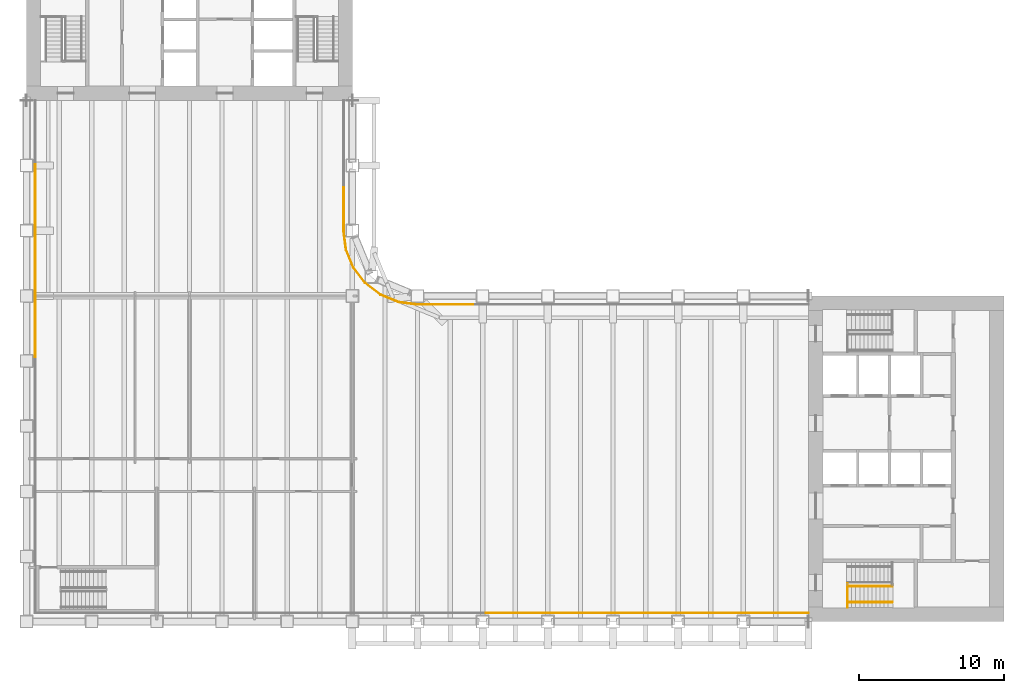
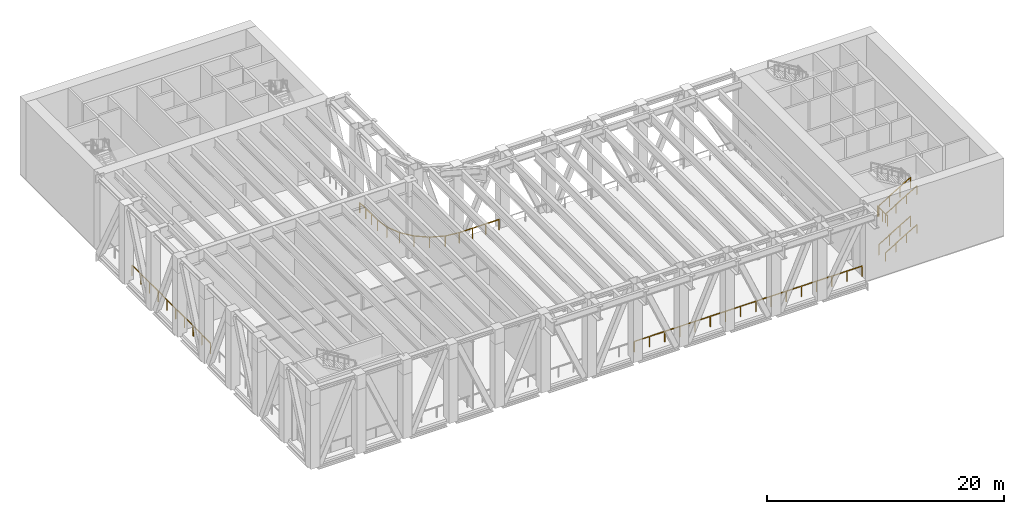
# One storey, part 14 of 16: 21 railings.
"""IFC4 building model written with IfcOpenShell, lengths in metres."""

from ifc_helpers import new_model, si_unit, direction, frame, origin, origin_2d, place, context, subcontext, project, spatial, rectangle, extrude, material, type_object, element, save


model = new_model("IFC4")

# Units and contexts
model_context = context("Model", 3, precision=1e-05, world=origin(), true_north=direction((0.0, 1.0)))
body_context = subcontext(model_context, "Body", "Model", "MODEL_VIEW")
ifc_project = project(units=[si_unit("LENGTHUNIT", "METRE"), si_unit("AREAUNIT", "SQUARE_METRE"), si_unit("VOLUMEUNIT", "CUBIC_METRE"), si_unit("PLANEANGLEUNIT", "RADIAN"), si_unit("MASSUNIT", "GRAM", prefix="KILO")], contexts=[model_context])

# Site, building, storey
site_placement = place(None, origin())
site = spatial("IfcSite", under=ifc_project, at=site_placement, CompositionType="ELEMENT")
building_placement = place(site_placement, origin())
building = spatial("IfcBuilding", under=site, at=building_placement, Name="Sennacour Bend Tower", CompositionType="ELEMENT")
storey_placement = place(building_placement, frame((0.0, 0.0, 187.0)))
storey = spatial("IfcBuildingStorey", under=building, at=storey_placement, Name="L43", CompositionType="ELEMENT", Elevation=187.0)

# Railings
ifc_material_1 = material(Name="Stainless steel 316", Category="steel")
railing_type_1 = type_object("IfcRailingType", Name="GUARD 1100", PredefinedType="GUARDRAIL", material=ifc_material_1)
railing_1_placement = place(storey_placement, frame((21.89990234375, 29.973388671875, 0.0)))
element("IfcRailing", 1, at=railing_1_placement, inside=storey, type_object=railing_type_1, Name="Guard L43", PredefinedType="GUARDRAIL", context=body_context, shape_type="SweptSolid", body=[
    extrude(rectangle(XDim=0.048095703125, YDim=0.048095703125, at=origin_2d()), frame((0.0, 0.0, 1.076171875), z_axis=(0.0, -1.0, 0.0), x_axis=(1.0, 0.0, 0.0)), (0.0, 0.0, 1.0), 3.0126953125),
    extrude(rectangle(XDim=0.0419921875, YDim=0.0419921875, at=origin_2d()), origin(), (0.0, 0.0, 1.0), 1.052001953125),
    extrude(rectangle(XDim=0.0419921875, YDim=0.0419921875, at=origin_2d()), frame((0.0, -1.004150390625, 0.0)), (0.0, 0.0, 1.0), 1.052001953125),
    extrude(rectangle(XDim=0.0419921875, YDim=0.0419921875, at=origin_2d()), frame((0.0, -2.008544921875, 0.0)), (0.0, 0.0, 1.0), 1.052001953125),
    extrude(rectangle(XDim=0.0419921875, YDim=0.0419921875, at=origin_2d()), frame((0.0, -3.0126953125, 0.0)), (0.0, 0.0, 1.0), 1.052001953125),
])
railing_2_placement = place(storey_placement, frame((21.89990234375, 26.960693359375, 0.0)))
element("IfcRailing", 2, at=railing_2_placement, inside=storey, type_object=railing_type_1, Name="Guard L43", PredefinedType="GUARDRAIL", context=body_context, shape_type="SweptSolid", body=[
    extrude(rectangle(XDim=0.048095703125, YDim=0.048095703125, at=origin_2d()), frame((0.0, 0.0, 1.076171875), z_axis=(0.130654756343, -0.991427927106, 0.0), x_axis=(0.991427927106, 0.130654756343, 0.0)), (0.0, 0.0, 1.0), 1.29296875),
    extrude(rectangle(XDim=0.0419921875, YDim=0.0419921875, at=origin_2d()), origin(), (0.0, 0.0, 1.0), 1.052001953125),
    extrude(rectangle(XDim=0.0419921875, YDim=0.0419921875, at=origin_2d()), frame((0.1689453125, -1.281982421875, 0.0)), (0.0, 0.0, 1.0), 1.052001953125),
])
railing_3_placement = place(storey_placement, frame((22.06884765625, 25.6787109375, 0.0)))
element("IfcRailing", 3, at=railing_3_placement, inside=storey, type_object=railing_type_1, Name="Guard L43", PredefinedType="GUARDRAIL", context=body_context, shape_type="SweptSolid", body=[
    extrude(rectangle(XDim=0.048095703125, YDim=0.048095703125, at=origin_2d()), frame((0.0, 0.0, 1.076171875), z_axis=(0.382702353827, -0.923871694758, 0.0), x_axis=(0.923871694758, 0.382702353827, 0.0)), (0.0, 0.0, 1.0), 1.332763671875),
    extrude(rectangle(XDim=0.0419921875, YDim=0.0419921875, at=origin_2d()), origin(), (0.0, 0.0, 1.0), 1.052001953125),
    extrude(rectangle(XDim=0.0419921875, YDim=0.0419921875, at=origin_2d()), frame((0.510009765625, -1.231201171875, 0.0)), (0.0, 0.0, 1.0), 1.052001953125),
])
railing_4_placement = place(storey_placement, frame((22.578857421875, 24.447509765625, 0.0)))
element("IfcRailing", 4, at=railing_4_placement, inside=storey, type_object=railing_type_1, Name="Guard L43", PredefinedType="GUARDRAIL", context=body_context, shape_type="SweptSolid", body=[
    extrude(rectangle(XDim=0.048095703125, YDim=0.048095703125, at=origin_2d()), frame((0.0, 0.0, 1.076171875), z_axis=(0.608727624492, -0.793379278265, 0.0), x_axis=(0.793379278265, 0.608727624492, 0.0)), (0.0, 0.0, 1.0), 1.332763671875),
    extrude(rectangle(XDim=0.0419921875, YDim=0.0419921875, at=origin_2d()), origin(), (0.0, 0.0, 1.0), 1.052001953125),
    extrude(rectangle(XDim=0.0419921875, YDim=0.0419921875, at=origin_2d()), frame((0.811279296875, -1.057373046875, 0.0)), (0.0, 0.0, 1.0), 1.052001953125),
])
railing_5_placement = place(storey_placement, frame((23.39013671875, 23.39013671875, 0.0)))
element("IfcRailing", 5, at=railing_5_placement, inside=storey, type_object=railing_type_1, Name="Guard L43", PredefinedType="GUARDRAIL", context=body_context, shape_type="SweptSolid", body=[
    extrude(rectangle(XDim=0.048095703125, YDim=0.048095703125, at=origin_2d()), frame((0.0, 0.0, 1.076171875), z_axis=(0.793379278265, -0.608727624492, 0.0), x_axis=(0.608727624492, 0.793379278265, 0.0)), (0.0, 0.0, 1.0), 1.332763671875),
    extrude(rectangle(XDim=0.0419921875, YDim=0.0419921875, at=origin_2d()), origin(), (0.0, 0.0, 1.0), 1.052001953125),
    extrude(rectangle(XDim=0.0419921875, YDim=0.0419921875, at=origin_2d()), frame((1.057373046875, -0.811279296875, 0.0)), (0.0, 0.0, 1.0), 1.052001953125),
])
railing_6_placement = place(storey_placement, frame((24.447509765625, 22.578857421875, 0.0)))
element("IfcRailing", 6, at=railing_6_placement, inside=storey, type_object=railing_type_1, Name="Guard L43", PredefinedType="GUARDRAIL", context=body_context, shape_type="SweptSolid", body=[
    extrude(rectangle(XDim=0.048095703125, YDim=0.048095703125, at=origin_2d()), frame((0.0, 0.0, 1.076171875), z_axis=(0.923871694758, -0.382702353827, 0.0), x_axis=(0.382702353827, 0.923871694758, 0.0)), (0.0, 0.0, 1.0), 1.332763671875),
    extrude(rectangle(XDim=0.0419921875, YDim=0.0419921875, at=origin_2d()), origin(), (0.0, 0.0, 1.0), 1.052001953125),
    extrude(rectangle(XDim=0.0419921875, YDim=0.0419921875, at=origin_2d()), frame((1.231201171875, -0.510009765625, 0.0)), (0.0, 0.0, 1.0), 1.052001953125),
])
railing_7_placement = place(storey_placement, frame((25.6787109375, 22.06884765625, 0.0)))
element("IfcRailing", 7, at=railing_7_placement, inside=storey, type_object=railing_type_1, Name="Guard L43", PredefinedType="GUARDRAIL", context=body_context, shape_type="SweptSolid", body=[
    extrude(rectangle(XDim=0.048095703125, YDim=0.048095703125, at=origin_2d()), frame((0.0, 0.0, 1.076171875), z_axis=(0.991427927106, -0.130654756343, 0.0), x_axis=(0.130654756343, 0.991427927106, 0.0)), (0.0, 0.0, 1.0), 1.29296875),
    extrude(rectangle(XDim=0.0419921875, YDim=0.0419921875, at=origin_2d()), origin(), (0.0, 0.0, 1.0), 1.052001953125),
    extrude(rectangle(XDim=0.0419921875, YDim=0.0419921875, at=origin_2d()), frame((1.281982421875, -0.1689453125, 0.0)), (0.0, 0.0, 1.0), 1.052001953125),
])
railing_8_placement = place(storey_placement, frame((26.960693359375, 21.89990234375, 0.0)))
element("IfcRailing", 8, at=railing_8_placement, inside=storey, type_object=railing_type_1, Name="Guard L43", PredefinedType="GUARDRAIL", context=body_context, shape_type="SweptSolid", body=[
    extrude(rectangle(XDim=0.048095703125, YDim=0.048095703125, at=origin_2d()), frame((0.0, 0.0, 1.076171875), z_axis=(1.0, 0.0, 0.0), x_axis=(0.0, 1.0, 0.0)), (0.0, 0.0, 1.0), 3.862548828125),
    extrude(rectangle(XDim=0.0419921875, YDim=0.0419921875, at=origin_2d()), origin(), (0.0, 0.0, 1.0), 1.052001953125),
    extrude(rectangle(XDim=0.0419921875, YDim=0.0419921875, at=origin_2d()), frame((1.28759765625, 0.0, 0.0)), (0.0, 0.0, 1.0), 1.052001953125),
    extrude(rectangle(XDim=0.0419921875, YDim=0.0419921875, at=origin_2d()), frame((2.574951171875, 0.0, 0.0)), (0.0, 0.0, 1.0), 1.052001953125),
    extrude(rectangle(XDim=0.0419921875, YDim=0.0419921875, at=origin_2d()), frame((3.862548828125, 0.0, 0.0)), (0.0, 0.0, 1.0), 1.052001953125),
])
for number, where, name in (
    (9, (53.9990234375, 0.60009765625, 0.0), "Guard L43"),
    (10, (49.549072265625, 0.60009765625, 0.0), "Guard L43"),
):
    element("IfcRailing", number, at=place(storey_placement, frame(where)), inside=storey, type_object=railing_type_1, Name=name, PredefinedType="GUARDRAIL", context=body_context, shape_type="SweptSolid", body=[
        extrude(rectangle(XDim=0.048095703125, YDim=0.048095703125, at=origin_2d()), frame((0.0, 0.0, 1.076171875), z_axis=(-1.0, 0.0, 0.0), x_axis=(0.0, -1.0, 0.0)), (0.0, 0.0, 1.0), 4.449951171875),
        extrude(rectangle(XDim=0.0419921875, YDim=0.0419921875, at=origin_2d()), origin(), (0.0, 0.0, 1.0), 1.052001953125),
        extrude(rectangle(XDim=0.0419921875, YDim=0.0419921875, at=origin_2d()), frame((-1.4833984375, 0.0, 0.0)), (0.0, 0.0, 1.0), 1.052001953125),
        extrude(rectangle(XDim=0.0419921875, YDim=0.0419921875, at=origin_2d()), frame((-2.966552734375, 0.0, 0.0)), (0.0, 0.0, 1.0), 1.052001953125),
        extrude(rectangle(XDim=0.0419921875, YDim=0.0419921875, at=origin_2d()), frame((-4.449951171875, 0.0, 0.0)), (0.0, 0.0, 1.0), 1.052001953125),
    ])
railing_9_placement = place(storey_placement, frame((45.09912109375, 0.60009765625, 0.0)))
element("IfcRailing", 11, at=railing_9_placement, inside=storey, type_object=railing_type_1, Name="Guard L43", PredefinedType="GUARDRAIL", context=body_context, shape_type="SweptSolid", body=[
    extrude(rectangle(XDim=0.048095703125, YDim=0.048095703125, at=origin_2d()), frame((0.0, 0.0, 1.076171875), z_axis=(-1.0, 0.0, 0.0), x_axis=(0.0, -1.0, 0.0)), (0.0, 0.0, 1.0), 4.44970703125),
    extrude(rectangle(XDim=0.0419921875, YDim=0.0419921875, at=origin_2d()), origin(), (0.0, 0.0, 1.0), 1.052001953125),
    extrude(rectangle(XDim=0.0419921875, YDim=0.0419921875, at=origin_2d()), frame((-1.483154296875, 0.0, 0.0)), (0.0, 0.0, 1.0), 1.052001953125),
    extrude(rectangle(XDim=0.0419921875, YDim=0.0419921875, at=origin_2d()), frame((-2.966552734375, 0.0, 0.0)), (0.0, 0.0, 1.0), 1.052001953125),
    extrude(rectangle(XDim=0.0419921875, YDim=0.0419921875, at=origin_2d()), frame((-4.44970703125, 0.0, 0.0)), (0.0, 0.0, 1.0), 1.052001953125),
])
railing_10_placement = place(storey_placement, frame((40.6494140625, 0.60009765625, 0.0)))
element("IfcRailing", 12, at=railing_10_placement, inside=storey, type_object=railing_type_1, Name="Guard L43", PredefinedType="GUARDRAIL", context=body_context, shape_type="SweptSolid", body=[
    extrude(rectangle(XDim=0.048095703125, YDim=0.048095703125, at=origin_2d()), frame((0.0, 0.0, 1.076171875), z_axis=(-1.0, 0.0, 0.0), x_axis=(0.0, -1.0, 0.0)), (0.0, 0.0, 1.0), 4.4501953125),
    extrude(rectangle(XDim=0.0419921875, YDim=0.0419921875, at=origin_2d()), origin(), (0.0, 0.0, 1.0), 1.052001953125),
    extrude(rectangle(XDim=0.0419921875, YDim=0.0419921875, at=origin_2d()), frame((-1.4833984375, 0.0, 0.0)), (0.0, 0.0, 1.0), 1.052001953125),
    extrude(rectangle(XDim=0.0419921875, YDim=0.0419921875, at=origin_2d()), frame((-2.966796875, 0.0, 0.0)), (0.0, 0.0, 1.0), 1.052001953125),
    extrude(rectangle(XDim=0.0419921875, YDim=0.0419921875, at=origin_2d()), frame((-4.4501953125, 0.0, 0.0)), (0.0, 0.0, 1.0), 1.052001953125),
])
railing_11_placement = place(storey_placement, frame((36.19921875, 0.60009765625, 0.0)))
element("IfcRailing", 13, at=railing_11_placement, inside=storey, type_object=railing_type_1, Name="Guard L43", PredefinedType="GUARDRAIL", context=body_context, shape_type="SweptSolid", body=[
    extrude(rectangle(XDim=0.048095703125, YDim=0.048095703125, at=origin_2d()), frame((0.0, 0.0, 1.076171875), z_axis=(-1.0, 0.0, 0.0), x_axis=(0.0, -1.0, 0.0)), (0.0, 0.0, 1.0), 4.44970703125),
    extrude(rectangle(XDim=0.0419921875, YDim=0.0419921875, at=origin_2d()), origin(), (0.0, 0.0, 1.0), 1.052001953125),
    extrude(rectangle(XDim=0.0419921875, YDim=0.0419921875, at=origin_2d()), frame((-1.483154296875, 0.0, 0.0)), (0.0, 0.0, 1.0), 1.052001953125),
    extrude(rectangle(XDim=0.0419921875, YDim=0.0419921875, at=origin_2d()), frame((-2.966552734375, 0.0, 0.0)), (0.0, 0.0, 1.0), 1.052001953125),
    extrude(rectangle(XDim=0.0419921875, YDim=0.0419921875, at=origin_2d()), frame((-4.44970703125, 0.0, 0.0)), (0.0, 0.0, 1.0), 1.052001953125),
])
railing_12_placement = place(storey_placement, frame((0.60009765625, 18.299560546875, 0.0)))
element("IfcRailing", 14, at=railing_12_placement, inside=storey, type_object=railing_type_1, Name="Guard L43", PredefinedType="GUARDRAIL", context=body_context, shape_type="SweptSolid", body=[
    extrude(rectangle(XDim=0.048095703125, YDim=0.048095703125, at=origin_2d()), frame((0.0, 0.0, 1.076171875), z_axis=(0.0, 1.0, 0.0), x_axis=(-1.0, 0.0, 0.0)), (0.0, 0.0, 1.0), 4.4248046875),
    extrude(rectangle(XDim=0.0419921875, YDim=0.0419921875, at=origin_2d()), origin(), (0.0, 0.0, 1.0), 1.052001953125),
    extrude(rectangle(XDim=0.0419921875, YDim=0.0419921875, at=origin_2d()), frame((0.0, 1.474853515625, 0.0)), (0.0, 0.0, 1.0), 1.052001953125),
    extrude(rectangle(XDim=0.0419921875, YDim=0.0419921875, at=origin_2d()), frame((0.0, 2.949951171875, 0.0)), (0.0, 0.0, 1.0), 1.052001953125),
    extrude(rectangle(XDim=0.0419921875, YDim=0.0419921875, at=origin_2d()), frame((0.0, 4.4248046875, 0.0)), (0.0, 0.0, 1.0), 1.052001953125),
])
railing_13_placement = place(storey_placement, frame((0.60009765625, 22.724365234375, 0.0)))
element("IfcRailing", 15, at=railing_13_placement, inside=storey, type_object=railing_type_1, Name="Guard L43", PredefinedType="GUARDRAIL", context=body_context, shape_type="SweptSolid", body=[
    extrude(rectangle(XDim=0.048095703125, YDim=0.048095703125, at=origin_2d()), frame((0.0, 0.0, 1.076171875), z_axis=(0.0, 1.0, 0.0), x_axis=(-1.0, 0.0, 0.0)), (0.0, 0.0, 1.0), 4.425048828125),
    extrude(rectangle(XDim=0.0419921875, YDim=0.0419921875, at=origin_2d()), origin(), (0.0, 0.0, 1.0), 1.052001953125),
    extrude(rectangle(XDim=0.0419921875, YDim=0.0419921875, at=origin_2d()), frame((0.0, 1.47509765625, 0.0)), (0.0, 0.0, 1.0), 1.052001953125),
    extrude(rectangle(XDim=0.0419921875, YDim=0.0419921875, at=origin_2d()), frame((0.0, 2.949951171875, 0.0)), (0.0, 0.0, 1.0), 1.052001953125),
    extrude(rectangle(XDim=0.0419921875, YDim=0.0419921875, at=origin_2d()), frame((0.0, 4.425048828125, 0.0)), (0.0, 0.0, 1.0), 1.052001953125),
])
railing_14_placement = place(storey_placement, frame((0.60009765625, 27.1494140625, 0.0)))
element("IfcRailing", 16, at=railing_14_placement, inside=storey, type_object=railing_type_1, Name="Guard L43", PredefinedType="GUARDRAIL", context=body_context, shape_type="SweptSolid", body=[
    extrude(rectangle(XDim=0.048095703125, YDim=0.048095703125, at=origin_2d()), frame((0.0, 0.0, 1.076171875), z_axis=(0.0, 1.0, 0.0), x_axis=(-1.0, 0.0, 0.0)), (0.0, 0.0, 1.0), 4.4248046875),
    extrude(rectangle(XDim=0.0419921875, YDim=0.0419921875, at=origin_2d()), origin(), (0.0, 0.0, 1.0), 1.052001953125),
    extrude(rectangle(XDim=0.0419921875, YDim=0.0419921875, at=origin_2d()), frame((0.0, 1.474853515625, 0.0)), (0.0, 0.0, 1.0), 1.052001953125),
    extrude(rectangle(XDim=0.0419921875, YDim=0.0419921875, at=origin_2d()), frame((0.0, 2.949951171875, 0.0)), (0.0, 0.0, 1.0), 1.052001953125),
    extrude(rectangle(XDim=0.0419921875, YDim=0.0419921875, at=origin_2d()), frame((0.0, 4.4248046875, 0.0)), (0.0, 0.0, 1.0), 1.052001953125),
])
ifc_material_2 = material(Name="Stainless steel", Category="steel")
railing_type_2 = type_object("IfcRailingType", Name="RL-GUARD-1100", PredefinedType="GUARDRAIL", material=ifc_material_2)
for number, where, name in (
    (17, (56.699951171875, 2.449951171875, 0.166748046875), "L43 SA1 stair guard 1"),
    (18, (56.699951171875, 2.449951171875, 4.166748046875), "L43 SA1 stair guard 8"),
):
    element("IfcRailing", number, at=place(storey_placement, frame(where)), inside=storey, type_object=railing_type_2, Name=name, PredefinedType="GUARDRAIL", context=body_context, shape_type="SweptSolid", body=[
        extrude(rectangle(XDim=0.048095703125, YDim=0.048095703125, at=origin_2d()), frame((0.0, 0.0, 1.076171875), z_axis=(0.859308565015, 0.0, 0.511457515432), x_axis=(0.0, 1.0, 0.0)), (0.0, 0.0, 1.0), 3.58447265625),
        extrude(rectangle(XDim=0.0419921875, YDim=0.0419921875, at=origin_2d()), origin(), (0.0, 0.0, 1.0), 1.052001953125),
        extrude(rectangle(XDim=0.0419921875, YDim=0.0419921875, at=origin_2d()), frame((1.026611328125, 0.0, 0.611083984375)), (0.0, 0.0, 1.0), 1.052001953125),
        extrude(rectangle(XDim=0.0419921875, YDim=0.0419921875, at=origin_2d()), frame((2.053466796875, 0.0, 1.22216796875)), (0.0, 0.0, 1.0), 1.052001953125),
        extrude(rectangle(XDim=0.0419921875, YDim=0.0419921875, at=origin_2d()), frame((3.080078125, 0.0, 1.833251953125)), (0.0, 0.0, 1.0), 1.052001953125),
    ])
railing_15_placement = place(storey_placement, frame((56.699951171875, 2.64990234375, 4.0)))
element("IfcRailing", 19, at=railing_15_placement, inside=storey, type_object=railing_type_2, Name="L43 SA1 landing edge guard 64", PredefinedType="GUARDRAIL", context=body_context, shape_type="SweptSolid", body=[
    extrude(rectangle(XDim=0.048095703125, YDim=0.048095703125, at=origin_2d()), frame((0.0, 0.0, 1.076171875), z_axis=(0.0, -1.0, 0.0), x_axis=(1.0, 0.0, 0.0)), (0.0, 0.0, 1.0), 1.64990234375),
    extrude(rectangle(XDim=0.0419921875, YDim=0.0419921875, at=origin_2d()), origin(), (0.0, 0.0, 1.0), 1.052001953125),
    extrude(rectangle(XDim=0.0419921875, YDim=0.0419921875, at=origin_2d()), frame((0.0, -0.824951171875, 0.0)), (0.0, 0.0, 1.0), 1.052001953125),
    extrude(rectangle(XDim=0.0419921875, YDim=0.0419921875, at=origin_2d()), frame((0.0, -1.64990234375, 0.0)), (0.0, 0.0, 1.0), 1.052001953125),
])
railing_type_3 = type_object("IfcRailingType", Name="RL-HANDRAIL-900", PredefinedType="HANDRAIL", material=ifc_material_2)
for number, where, name in (
    (20, (56.699951171875, 1.35009765625, 0.166748046875), "L43 SA1 stair handrail 1"),
    (21, (56.699951171875, 1.35009765625, 4.166748046875), "L43 SA1 stair handrail 3"),
):
    element("IfcRailing", number, at=place(storey_placement, frame(where)), inside=storey, type_object=railing_type_3, Name=name, PredefinedType="HANDRAIL", context=body_context, shape_type="SweptSolid", body=[
        extrude(rectangle(XDim=0.048095703125, YDim=0.048095703125, at=origin_2d()), frame((0.0, 0.0, 0.8759765625), z_axis=(0.859308565015, 0.0, 0.511457515432), x_axis=(0.0, 1.0, 0.0)), (0.0, 0.0, 1.0), 3.58447265625),
        extrude(rectangle(XDim=0.0419921875, YDim=0.0419921875, at=origin_2d()), origin(), (0.0, 0.0, 1.0), 0.851806640625),
        extrude(rectangle(XDim=0.0419921875, YDim=0.0419921875, at=origin_2d()), frame((1.026611328125, 0.0, 0.611083984375)), (0.0, 0.0, 1.0), 0.851806640625),
        extrude(rectangle(XDim=0.0419921875, YDim=0.0419921875, at=origin_2d()), frame((2.053466796875, 0.0, 1.22216796875)), (0.0, 0.0, 1.0), 0.851806640625),
        extrude(rectangle(XDim=0.0419921875, YDim=0.0419921875, at=origin_2d()), frame((3.080078125, 0.0, 1.833251953125)), (0.0, 0.0, 1.0), 0.851806640625),
    ])

save(model, "model.ifc")
